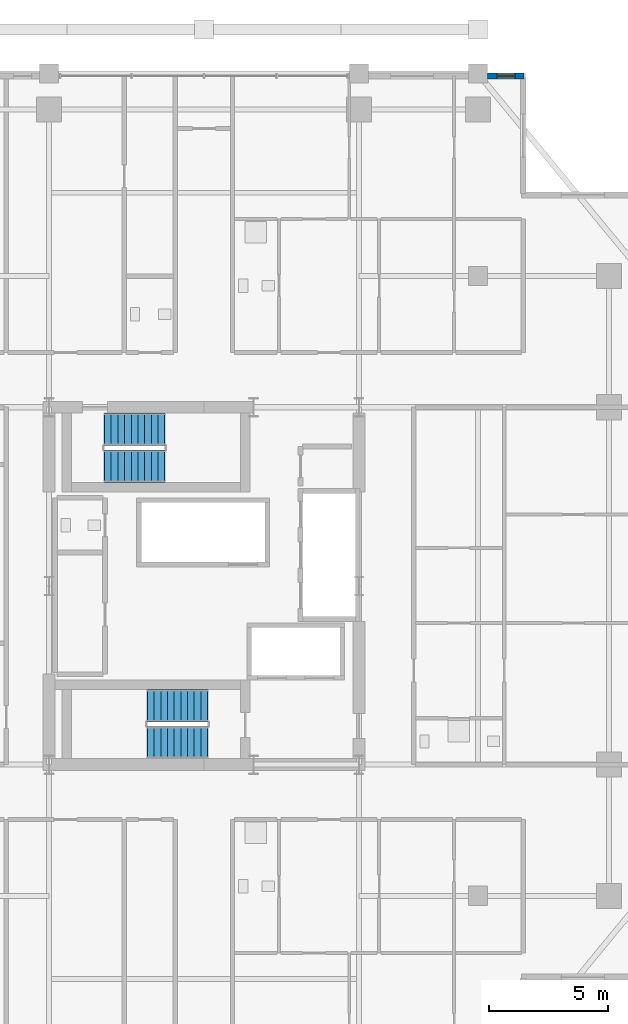
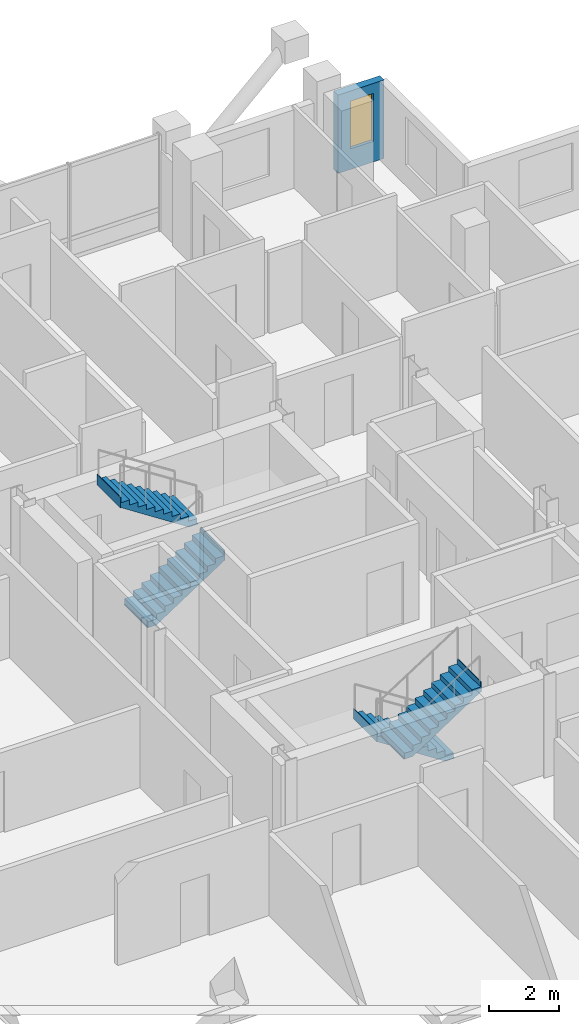
# One storey, part 22 of 24: 4 stair flights, 1 wall, 1 window, 1 opening, 2 elements without a shape of their own.
"""IFC4 building model written with IfcOpenShell, lengths in metres."""

import ifcopenshell
import ifcopenshell.guid

model = None  # the IFC model being written
_history = None  # IfcOwnerHistory: only IFC2X3 demands one
_inside = {}  # id of a spatial element -> (the spatial element, [elements in it])
_under = {}  # id of a project, library or spatial element -> (it, [spatial elements below it])
_declared = {}  # id of a project -> (the project, [libraries it declares])
_typed = {}  # id of a type object -> (the type object, [elements of that type])
_made_of = {}  # id of a material, layer set ... -> (it, [elements and type objects made of it])


def new_model(schema):
    """Start an empty IFC model of exactly this schema.

    Asked for "IFC4X3", IfcOpenShell would pick the latest addendum, in which some entities
    have other attributes; the version numbers below select the first issue.
    IFC2X3 requires an IfcOwnerHistory on every rooted entity: one is made here for all.
    """
    global model, _history
    if schema == "IFC4X3":
        model = ifcopenshell.file(schema_version=(4, 3, 0, 0))
    else:
        model = ifcopenshell.file(schema=schema)
    _inside.clear()
    _under.clear()
    _declared.clear()
    _typed.clear()
    _made_of.clear()
    _history = None
    if model.schema == "IFC2X3":
        org = make("IfcOrganization", Name="unknown")
        user = make(
            "IfcPersonAndOrganization",
            ThePerson=make("IfcPerson", FamilyName="unknown"),
            TheOrganization=org,
        )
        app = make(
            "IfcApplication",
            ApplicationDeveloper=org,
            Version="unknown",
            ApplicationFullName="unknown",
            ApplicationIdentifier="unknown",
        )
        _history = make(
            "IfcOwnerHistory",
            OwningUser=user,
            OwningApplication=app,
            ChangeAction="ADDED",
            CreationDate=0,
        )
    return model


def make(cls, **values):
    """One entity of the class cls with the attributes given. An attribute that is None is left unset."""
    return model.create_entity(
        cls, **{name: value for name, value in values.items() if value is not None}
    )


def rooted(cls, **values):
    """An entity with a GlobalId (a new one), such as an element, a storey or a relation."""
    return make(cls, GlobalId=ifcopenshell.guid.new(), OwnerHistory=_history, **values)


def si_unit(unit_type, name, prefix=None):
    """IfcSIUnit, for example si_unit("LENGTHUNIT", "METRE", prefix="MILLI")."""
    return make("IfcSIUnit", UnitType=unit_type, Prefix=prefix, Name=name)


def assignment(units):
    """IfcUnitAssignment: the units of a project."""
    return None if units is None else make("IfcUnitAssignment", Units=units)


def point(xyz):
    """IfcCartesianPoint."""
    return None if xyz is None else make("IfcCartesianPoint", Coordinates=xyz)


def direction(xyz):
    """IfcDirection."""
    return None if xyz is None else make("IfcDirection", DirectionRatios=xyz)


def frame(location, z_axis=None, x_axis=None):
    """IfcAxis2Placement3D, a coordinate frame: its origin and axes. An axis left out is left unset."""
    return make(
        "IfcAxis2Placement3D",
        Location=point(location),
        Axis=direction(z_axis),
        RefDirection=direction(x_axis),
    )


def frame_2d(location, x_axis=None):
    """IfcAxis2Placement2D, a coordinate frame in the plane: its origin and x axis."""
    return make(
        "IfcAxis2Placement2D", Location=point(location), RefDirection=direction(x_axis)
    )


def origin():
    """The frame at (0, 0, 0) with its axes left unset."""
    return frame((0.0, 0.0, 0.0))


def place(relative_to, where):
    """IfcLocalPlacement: puts the frame where relative to a parent placement (None: the world)."""
    return make(
        "IfcLocalPlacement", PlacementRelTo=relative_to, RelativePlacement=where
    )


def context(
    kind, dimensions, precision=None, world=None, true_north=None, identifier=None
):
    """IfcGeometricRepresentationContext, for example the 3D "Model" context."""
    return make(
        "IfcGeometricRepresentationContext",
        ContextIdentifier=identifier,
        ContextType=kind,
        CoordinateSpaceDimension=dimensions,
        Precision=precision,
        WorldCoordinateSystem=world,
        TrueNorth=true_north,
    )


def subcontext(parent, identifier, kind, view, scale=None):
    """IfcGeometricRepresentationSubContext, for example "Body" below "Model"."""
    return make(
        "IfcGeometricRepresentationSubContext",
        ContextIdentifier=identifier,
        ContextType=kind,
        ParentContext=parent,
        TargetScale=scale,
        TargetView=view,
    )


def project(units=None, contexts=None):
    """IfcProject with its units and contexts."""
    return rooted(
        "IfcProject",
        Name="project",
        RepresentationContexts=contexts,
        UnitsInContext=assignment(units),
    )


def spatial(cls, under=None, at=None, **own):
    """A site, building, storey or space (cls), placed at a placement, below another one or the project."""
    s = rooted(cls, ObjectPlacement=at, **own)
    if under is not None:
        _under.setdefault(under.id(), (under, []))[1].append(s)
    return s


def polyline(points):
    """IfcPolyline through the points."""
    return make("IfcPolyline", Points=[point(p) for p in points])


def profile(cls, at=None, kind="AREA", **sizes):
    """A parametric profile (cls). Its sizes go by their IFC names, for example OverallWidth=200.0."""
    return make(cls, ProfileType=kind, Position=at, **sizes)


def rectangle(**sizes):
    """IfcRectangleProfileDef."""
    return profile("IfcRectangleProfileDef", **sizes)


def outline(outer, holes=None, kind="AREA"):
    """IfcArbitraryClosedProfileDef: a profile drawn as a closed curve; with holes, ...WithVoids."""
    if holes is None:
        return make("IfcArbitraryClosedProfileDef", ProfileType=kind, OuterCurve=outer)
    return make(
        "IfcArbitraryProfileDefWithVoids",
        ProfileType=kind,
        OuterCurve=outer,
        InnerCurves=holes,
    )


def extrude(swept, where, along, depth):
    """IfcExtrudedAreaSolid: the profile swept, set in the frame where, extruded along a direction by depth."""
    return make(
        "IfcExtrudedAreaSolid",
        SweptArea=swept,
        Position=where,
        ExtrudedDirection=direction(along),
        Depth=depth,
    )


def shape(context_of_items, identifier, shape_type, items):
    """IfcShapeRepresentation: the items that make up one representation, for example the "Body"."""
    return make(
        "IfcShapeRepresentation",
        ContextOfItems=context_of_items,
        RepresentationIdentifier=identifier,
        RepresentationType=shape_type,
        Items=items,
    )


def material(Name=None, Category=None):
    """IfcMaterial."""
    return make("IfcMaterial", Name=Name, Category=Category)


def layer(
    of_material, thickness, ventilated=None, Name=None, Category=None, Priority=None
):
    """IfcMaterialLayer: one layer of a wall or slab, of a material (None: an air gap)."""
    return make(
        "IfcMaterialLayer",
        Material=of_material,
        LayerThickness=thickness,
        IsVentilated=ventilated,
        Name=Name,
        Category=Category,
        Priority=Priority,
    )


def layer_set(layers, Name=None):
    """IfcMaterialLayerSet."""
    return make("IfcMaterialLayerSet", MaterialLayers=layers, LayerSetName=Name)


def made_of(thing, what):
    """Note that an element or type object is made of a material, layer set ...; save() writes the relation."""
    if what is not None:
        _made_of.setdefault(what.id(), (what, []))[1].append(thing)
    return thing


def type_object(cls, material=None, **own):
    """A type object (cls), such as IfcWallType, which elements share."""
    return made_of(rooted(cls, **own), material)


def element(
    cls,
    number,
    at=None,
    inside=None,
    cuts=None,
    type_object=None,
    material=None,
    context=None,
    identifier="Body",
    shape_type=None,
    held_by="IfcProductDefinitionShape",
    body=None,
    shapes=None,
    **own,
):
    """One element of the class cls, such as IfcWall. Its Tag is "e" and its number.

    at: its placement. inside: the storey or other place that contains it. cuts: it is an
    opening in that element (IfcRelVoidsElement). A single representation is given by context,
    identifier, shape_type and body (its items); several are given by shapes. held_by: the class
    of the entity that holds the representations. save() writes the other relations.
    """
    e = rooted(cls, Tag="e%d" % number, ObjectPlacement=at, **own)
    if body is not None:
        shapes = [shape(context, identifier, shape_type, body)]
    if shapes is not None:
        e.Representation = make(held_by, Representations=shapes)
    if inside is not None:
        _inside.setdefault(inside.id(), (inside, []))[1].append(e)
    if cuts is not None:
        rooted(
            "IfcRelVoidsElement", RelatingBuildingElement=cuts, RelatedOpeningElement=e
        )
    if type_object is not None:
        _typed.setdefault(type_object.id(), (type_object, []))[1].append(e)
    return made_of(e, material)


def fill(opening, filler):
    """IfcRelFillsElement: the door or window that sits in an opening."""
    return rooted(
        "IfcRelFillsElement",
        RelatingOpeningElement=opening,
        RelatedBuildingElement=filler,
    )


def aggregate(whole, parts):
    """IfcRelAggregates: a whole, such as a stair, and the parts it consists of."""
    return rooted("IfcRelAggregates", RelatingObject=whole, RelatedObjects=parts)


def save(model, path):
    """Write the relations noted so far, then the file.

    IfcRelAggregates (storeys below a building ...), IfcRelContainedInSpatialStructure (elements
    in a storey), IfcRelDefinesByType, IfcRelAssociatesMaterial and IfcRelDeclares: one each for
    every whole, place, type object, material and project.
    """
    for whole, parts in _under.values():
        aggregate(whole, parts)
    for where, things in _inside.values():
        rooted(
            "IfcRelContainedInSpatialStructure",
            RelatedElements=things,
            RelatingStructure=where,
        )
    for kind, things in _typed.values():
        rooted("IfcRelDefinesByType", RelatedObjects=things, RelatingType=kind)
    for what, things in _made_of.values():
        rooted("IfcRelAssociatesMaterial", RelatedObjects=things, RelatingMaterial=what)
    for by, libraries in _declared.values():
        rooted("IfcRelDeclares", RelatingContext=by, RelatedDefinitions=libraries)
    model.write(path)


model = new_model("IFC4")

# Units and contexts
model_context = context("Model", 3, precision=1e-05, world=origin(), true_north=direction((0.0, 1.0)))
body_context = subcontext(model_context, "Body", "Model", "MODEL_VIEW")
ifc_project = project(units=[si_unit("LENGTHUNIT", "METRE"), si_unit("AREAUNIT", "SQUARE_METRE"), si_unit("VOLUMEUNIT", "CUBIC_METRE"), si_unit("PLANEANGLEUNIT", "RADIAN"), si_unit("MASSUNIT", "GRAM", prefix="KILO")], contexts=[model_context])

# Site, building, storey
site_placement = place(None, origin())
site = spatial("IfcSite", under=ifc_project, at=site_placement, CompositionType="ELEMENT")
building_placement = place(site_placement, origin())
building = spatial("IfcBuilding", under=site, at=building_placement, Name="Barlavira Tower and Art Museum", CompositionType="ELEMENT")
storey_placement = place(building_placement, frame((0.0, 0.0, 172.800048828125)))
storey = spatial("IfcBuildingStorey", under=building, at=storey_placement, Name="L44", CompositionType="ELEMENT", Elevation=172.800048828125)

# Wall, opening, window
ifc_material_1 = material(Name="Precast concrete C40", Category="concrete")
ifc_layer = layer(ifc_material_1, 0.25, Name="Precast concrete C40")
ifc_layer_set = layer_set([ifc_layer], Name="Precast concrete C40")
wall_type = type_object("IfcWallType", Name="Notched Corner Spandrel Wall 250 Precast Concrete C40", PredefinedType="SOLIDWALL", material=ifc_layer_set)
wall_placement = place(storey_placement, frame((13.425048828125, 21.39990234375, 0.0), z_axis=(0.0, 0.0, 1.0), x_axis=(-1.0, 0.0, 0.0)))
wall = element("IfcWall", 1, at=wall_placement, inside=storey, type_object=wall_type, Name="L44 Coastal Facade Pier Wall CW3-L44-N-1", PredefinedType="SOLIDWALL", context=body_context, shape_type="SweptSolid", body=[
    extrude(rectangle(XDim=1.530029296875, YDim=0.25, at=frame_2d((0.76513671875, 0.0))), origin(), (0.0, 0.0, 1.0), 2.748046875),
])
opening_placement = place(wall_placement, frame((0.363037109375, 0.0, 0.719970703125)))
opening = element("IfcOpeningElement", 2, at=opening_placement, cuts=wall, Name="Opening WN-06", PredefinedType="OPENING", context=body_context, shape_type="SweptSolid", body=[
    extrude(rectangle(XDim=0.760009765625, YDim=1.679931640625, at=frame_2d((0.3798828125, 0.83984375))), frame((0.0, 0.135009765625, 0.0), z_axis=(0.0, -1.0, 0.0), x_axis=(1.0, 0.0, 0.0)), (0.0, 0.0, 1.0), 0.27001953125),
])
ifc_material_2 = material(Name="Low-iron coastal laminated glass", Category="glass")
window_type = type_object("IfcWindowType", Name="Recessed Narrow Pier Window 760x1680", PartitioningType="SINGLE_PANEL", PredefinedType="WINDOW", material=ifc_material_2)
window_placement = place(opening_placement, origin())
window = element("IfcWindow", 3, at=window_placement, inside=storey, type_object=window_type, Name="L44 Punched Facade Window EWP-CW3-L44-N-1-1", OverallHeight=1.679931640625, OverallWidth=0.760009765625, PartitioningType="SINGLE_PANEL", PredefinedType="WINDOW", context=body_context, shape_type="SweptSolid", body=[
    extrude(rectangle(XDim=0.760009765625, YDim=1.679931640625, at=frame_2d((0.3798828125, 0.83984375))), frame((0.0, 0.030029296875, 0.0), z_axis=(0.0, -1.0, 0.0), x_axis=(1.0, 0.0, 0.0)), (0.0, 0.0, 1.0), 0.06005859375),
])
fill(opening, window)

# Stair, stair flights
ifc_material_3 = material(Name="Concrete C45", Category="concrete")
stair_type_1 = type_object("IfcStairType", Name="Tower North Dog-Leg Exit Stair Assembly Concrete C45", PredefinedType="TWO_QUARTER_TURN_STAIR", material=ifc_material_3)
stair_1_placement = place(storey_placement, origin())
stair_1 = element("IfcStair", 4, at=stair_1_placement, inside=storey, type_object=stair_type_1, Name="L44 Tower North Exit Stair ST-T2", PredefinedType="TWO_QUARTER_TURN_STAIR")
ifc_material_4 = material(Name="Precast concrete C45", Category="concrete")
stair_flight_type_1 = type_object("IfcStairFlightType", Name="Tower North Dog-Leg Exit Stair Precast Flight 1350 Concrete C45", PredefinedType="STRAIGHT", material=ifc_material_4)
stair_flight_1_placement = place(storey_placement, frame((-4.169921875, 5.02490234375, 0.0), z_axis=(0.0, 0.0, 1.0), x_axis=(1.0, 0.0, 0.0)))
stair_flight_1 = element("IfcStairFlight", 5, at=stair_flight_1_placement, type_object=stair_flight_type_1, Name="ST-T2 flight 1", NumberOfRisers=10, NumberOfTreads=9, PredefinedType="STRAIGHT", RiserHeight=0.18, TreadLength=0.28, context=body_context, shape_type="SweptSolid", body=[
    extrude(outline(polyline([(-0.02490234375, 0.0), (0.0, 0.0), (0.0, 0.179931640625), (0.280029296875, 0.179931640625), (0.280029296875, 0.360107421875), (0.56005859375, 0.360107421875), (0.56005859375, 0.5400390625), (0.840087890625, 0.5400390625), (0.840087890625, 0.719970703125), (1.1201171875, 0.719970703125), (1.1201171875, 0.89990234375), (1.39990234375, 0.89990234375), (1.39990234375, 1.080078125), (1.679931640625, 1.080078125), (1.679931640625, 1.260009765625), (1.9599609375, 1.260009765625), (1.9599609375, 1.43994140625), (2.239990234375, 1.43994140625), (2.239990234375, 1.6201171875), (2.52001953125, 1.6201171875), (2.52001953125, 1.800048828125), (2.544921875, 1.800048828125), (2.544921875, 1.44189453125), (2.52001953125, 1.44189453125), (0.277099609375, -0.02490234375), (-0.02490234375, -0.02490234375), (-0.02490234375, 0.0)])), frame((0.0, 0.675048828125, 0.0), z_axis=(0.0, -1.0, 0.0), x_axis=(1.0, 0.0, 0.0)), (0.0, 0.0, 1.0), 1.35009765625),
])
stair_flight_2_placement = place(storey_placement, frame((-1.64990234375, 6.574951171875, 1.800048828125), z_axis=(0.0, 0.0, 1.0), x_axis=(-1.0, 0.0, 0.0)))
stair_flight_2 = element("IfcStairFlight", 6, at=stair_flight_2_placement, type_object=stair_flight_type_1, Name="ST-T2 flight 2", NumberOfRisers=10, NumberOfTreads=9, PredefinedType="STRAIGHT", RiserHeight=0.18, TreadLength=0.28, context=body_context, shape_type="SweptSolid", body=[
    extrude(outline(polyline([(-0.02490234375, 0.0), (0.0, 0.0), (0.0, 0.179931640625), (0.280029296875, 0.179931640625), (0.280029296875, 0.360107421875), (0.56005859375, 0.360107421875), (0.56005859375, 0.5400390625), (0.840087890625, 0.5400390625), (0.840087890625, 0.719970703125), (1.1201171875, 0.719970703125), (1.1201171875, 0.89990234375), (1.39990234375, 0.89990234375), (1.39990234375, 1.080078125), (1.679931640625, 1.080078125), (1.679931640625, 1.260009765625), (1.9599609375, 1.260009765625), (1.9599609375, 1.43994140625), (2.239990234375, 1.43994140625), (2.239990234375, 1.6201171875), (2.52001953125, 1.6201171875), (2.52001953125, 1.800048828125), (2.544921875, 1.800048828125), (2.544921875, 1.44189453125), (2.52001953125, 1.44189453125), (0.277099609375, -0.02490234375), (-0.02490234375, -0.02490234375), (-0.02490234375, 0.0)])), frame((0.0, 0.675048828125, 0.0), z_axis=(0.0, -1.0, 0.0), x_axis=(1.0, 0.0, 0.0)), (0.0, 0.0, 1.0), 1.35009765625),
])
aggregate(stair_1, [stair_flight_1, stair_flight_2])

stair_type_2 = type_object("IfcStairType", Name="Tower South Dog-Leg Exit Stair Assembly Concrete C45", PredefinedType="TWO_QUARTER_TURN_STAIR", material=ifc_material_3)
stair_2_placement = place(storey_placement, origin())
stair_2 = element("IfcStair", 7, at=stair_2_placement, inside=storey, type_object=stair_type_2, Name="L44 Tower South Exit Stair ST-T1", PredefinedType="TWO_QUARTER_TURN_STAIR")
stair_flight_type_2 = type_object("IfcStairFlightType", Name="Tower South Dog-Leg Exit Stair Precast Flight 1350 Concrete C45", PredefinedType="STRAIGHT", material=ifc_material_4)
stair_flight_3_placement = place(storey_placement, frame((0.14990234375, -5.02490234375, 0.0), z_axis=(0.0, 0.0, 1.0), x_axis=(-1.0, 0.0, 0.0)))
stair_flight_3 = element("IfcStairFlight", 8, at=stair_flight_3_placement, type_object=stair_flight_type_2, Name="ST-T1 flight 1", NumberOfRisers=10, NumberOfTreads=9, PredefinedType="STRAIGHT", RiserHeight=0.18, TreadLength=0.28, context=body_context, shape_type="SweptSolid", body=[
    extrude(outline(polyline([(-0.02490234375, 0.0), (0.0, 0.0), (0.0, 0.179931640625), (0.280029296875, 0.179931640625), (0.280029296875, 0.360107421875), (0.56005859375, 0.360107421875), (0.56005859375, 0.5400390625), (0.840087890625, 0.5400390625), (0.840087890625, 0.719970703125), (1.1201171875, 0.719970703125), (1.1201171875, 0.89990234375), (1.39990234375, 0.89990234375), (1.39990234375, 1.080078125), (1.679931640625, 1.080078125), (1.679931640625, 1.260009765625), (1.9599609375, 1.260009765625), (1.9599609375, 1.43994140625), (2.239990234375, 1.43994140625), (2.239990234375, 1.6201171875), (2.52001953125, 1.6201171875), (2.52001953125, 1.800048828125), (2.544921875, 1.800048828125), (2.544921875, 1.44189453125), (2.52001953125, 1.44189453125), (0.277099609375, -0.02490234375), (-0.02490234375, -0.02490234375), (-0.02490234375, 0.0)])), frame((0.0, 0.675048828125, 0.0), z_axis=(0.0, -1.0, 0.0), x_axis=(1.0, 0.0, 0.0)), (0.0, 0.0, 1.0), 1.35009765625),
])
stair_flight_4_placement = place(storey_placement, frame((-2.3701171875, -6.574951171875, 1.800048828125), z_axis=(0.0, 0.0, 1.0), x_axis=(1.0, 0.0, 0.0)))
stair_flight_4 = element("IfcStairFlight", 9, at=stair_flight_4_placement, type_object=stair_flight_type_2, Name="ST-T1 flight 2", NumberOfRisers=10, NumberOfTreads=9, PredefinedType="STRAIGHT", RiserHeight=0.18, TreadLength=0.28, context=body_context, shape_type="SweptSolid", body=[
    extrude(outline(polyline([(-0.02490234375, 0.0), (0.0, 0.0), (0.0, 0.179931640625), (0.280029296875, 0.179931640625), (0.280029296875, 0.360107421875), (0.56005859375, 0.360107421875), (0.56005859375, 0.5400390625), (0.840087890625, 0.5400390625), (0.840087890625, 0.719970703125), (1.1201171875, 0.719970703125), (1.1201171875, 0.89990234375), (1.39990234375, 0.89990234375), (1.39990234375, 1.080078125), (1.679931640625, 1.080078125), (1.679931640625, 1.260009765625), (1.9599609375, 1.260009765625), (1.9599609375, 1.43994140625), (2.239990234375, 1.43994140625), (2.239990234375, 1.6201171875), (2.52001953125, 1.6201171875), (2.52001953125, 1.800048828125), (2.544921875, 1.800048828125), (2.544921875, 1.44189453125), (2.52001953125, 1.44189453125), (0.277099609375, -0.02490234375), (-0.02490234375, -0.02490234375), (-0.02490234375, 0.0)])), frame((0.0, 0.675048828125, 0.0), z_axis=(0.0, -1.0, 0.0), x_axis=(1.0, 0.0, 0.0)), (0.0, 0.0, 1.0), 1.35009765625),
])
aggregate(stair_2, [stair_flight_3, stair_flight_4])

save(model, "model.ifc")
